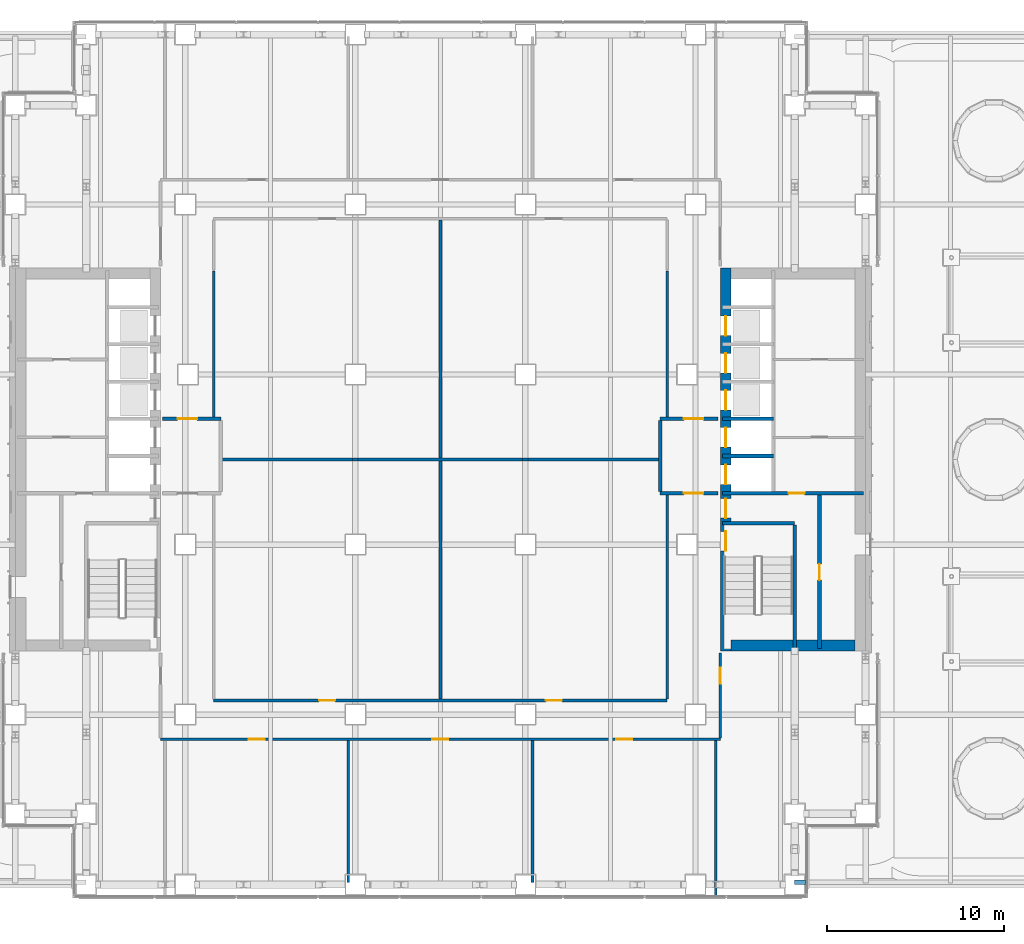
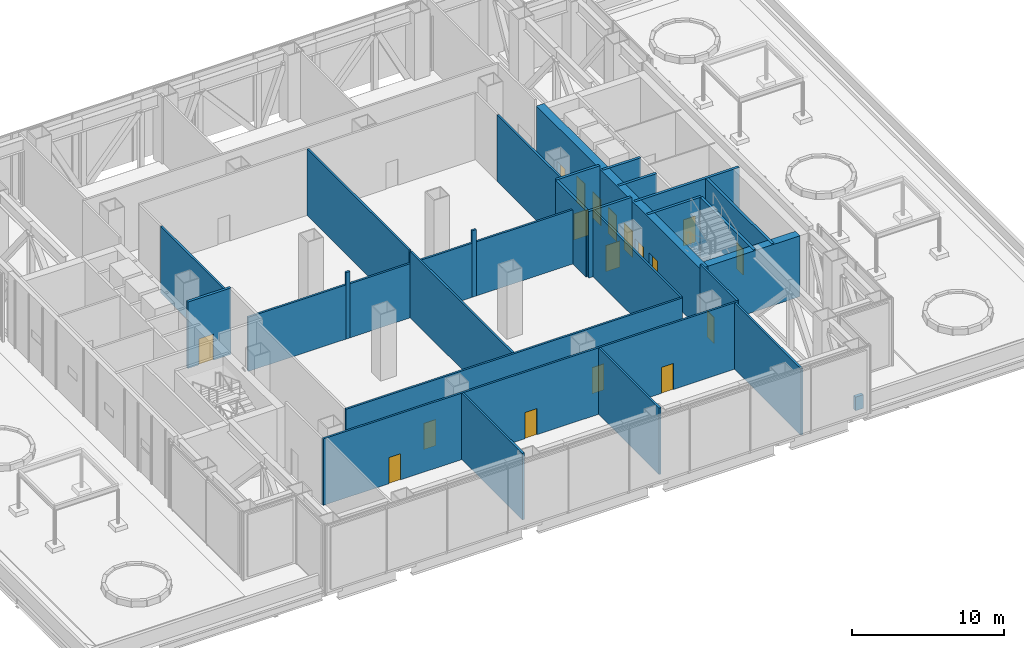
# One storey, part 25 of 39: 29 walls, 18 doors, 18 openings.
"""IFC4 building model written with IfcOpenShell, lengths in metres."""

from ifc_helpers import new_model, si_unit, direction, frame, frame_2d, origin, place, context, subcontext, project, spatial, rectangle, extrude, material, layer, layer_set, type_object, element, fill, save


model = new_model("IFC4")

# Units and contexts
model_context = context("Model", 3, precision=1e-05, world=origin(), true_north=direction((0.0, 1.0)))
body_context = subcontext(model_context, "Body", "Model", "MODEL_VIEW")
ifc_project = project(units=[si_unit("LENGTHUNIT", "METRE"), si_unit("AREAUNIT", "SQUARE_METRE"), si_unit("VOLUMEUNIT", "CUBIC_METRE"), si_unit("PLANEANGLEUNIT", "RADIAN"), si_unit("MASSUNIT", "GRAM", prefix="KILO")], contexts=[model_context])

# Site, building, storey
site_placement = place(None, origin())
site = spatial("IfcSite", under=ifc_project, at=site_placement, CompositionType="ELEMENT")
building_placement = place(site_placement, origin())
building = spatial("IfcBuilding", under=site, at=building_placement, Name="Cobrizo Arcos Hotel Tower", CompositionType="ELEMENT")
storey_placement = place(building_placement, frame((0.0, 0.0, 33.5)))
storey = spatial("IfcBuildingStorey", under=building, at=storey_placement, Name="L06", CompositionType="ELEMENT", Elevation=33.5)

# Wall, openings, doors
ifc_material_1 = material(Name="Gypsum board partition")
ifc_layer_1 = layer(ifc_material_1, 0.14990234375)
ifc_layer_set_1 = layer_set([ifc_layer_1], Name="Corridor wall EI 60 150")
wall_type_1 = type_object("IfcWallType", Name="Corridor wall EI 60 150", PredefinedType="PARTITIONING", material=ifc_layer_set_1)
wall_1_placement = place(storey_placement, frame((-15.800048828125, -15.800048828125, 0.0), z_axis=(0.0, 0.0, 1.0), x_axis=(1.0, 0.0, 0.0)))
wall_1 = element("IfcWall", 1, at=wall_1_placement, inside=storey, type_object=wall_type_1, Name="Partition 001", PredefinedType="PARTITIONING", context=body_context, shape_type="SweptSolid", body=[
    extrude(rectangle(XDim=31.60009765625, YDim=0.14990234375, at=frame_2d((15.800048828125, 0.0))), origin(), (0.0, 0.0, 1.0), 5.35009765625),
])
opening_1_placement = place(wall_1_placement, frame((4.97998046875, 0.0, 0.0)))
opening_1 = element("IfcOpeningElement", 2, at=opening_1_placement, cuts=wall_1, Name="Opening RD-12", PredefinedType="OPENING", context=body_context, shape_type="SweptSolid", body=[
    extrude(rectangle(XDim=0.89990234375, YDim=2.10009765625, at=frame_2d((0.449951171875, 1.050048828125))), frame((0.0, 0.0869140625, 0.0), z_axis=(0.0, -1.0, 0.0), x_axis=(1.0, 0.0, 0.0)), (0.0, 0.0, 1.0), 0.173828125),
])
opening_2_placement = place(wall_1_placement, frame((15.35009765625, 0.0, 0.0)))
opening_2 = element("IfcOpeningElement", 3, at=opening_2_placement, cuts=wall_1, Name="Opening RD-13", PredefinedType="OPENING", context=body_context, shape_type="SweptSolid", body=[
    extrude(rectangle(XDim=0.89990234375, YDim=2.10009765625, at=frame_2d((0.449951171875, 1.050048828125))), frame((0.0, 0.0869140625, 0.0), z_axis=(0.0, -1.0, 0.0), x_axis=(1.0, 0.0, 0.0)), (0.0, 0.0, 1.0), 0.173828125),
])
opening_3_placement = place(wall_1_placement, frame((25.720947265625, 0.0, 0.0)))
opening_3 = element("IfcOpeningElement", 4, at=opening_3_placement, cuts=wall_1, Name="Opening RD-14", PredefinedType="OPENING", context=body_context, shape_type="SweptSolid", body=[
    extrude(rectangle(XDim=0.89990234375, YDim=2.10009765625, at=frame_2d((0.449951171875, 1.050048828125))), frame((0.0, 0.0869140625, 0.0), z_axis=(0.0, -1.0, 0.0), x_axis=(1.0, 0.0, 0.0)), (0.0, 0.0, 1.0), 0.173828125),
])
ifc_material_2 = material(Name="Timber door leaf", Category="wood")
door_type_1 = type_object("IfcDoorType", Name="Room door FD30 900x2100", OperationType="SINGLE_SWING_LEFT", PredefinedType="DOOR", material=ifc_material_2)
door_1_placement = place(opening_1_placement, origin())
door_1 = element("IfcDoor", 5, at=door_1_placement, inside=storey, type_object=door_type_1, Name="Door RD-12", OperationType="SINGLE_SWING_RIGHT", OverallHeight=2.10009765625, OverallWidth=0.89990234375, PredefinedType="DOOR", context=body_context, shape_type="SweptSolid", body=[
    extrude(rectangle(XDim=0.89990234375, YDim=2.10009765625, at=frame_2d((0.449951171875, 1.050048828125))), frame((0.0, 0.02490234375, 0.0), z_axis=(0.0, -1.0, 0.0), x_axis=(1.0, 0.0, 0.0)), (0.0, 0.0, 1.0), 0.050048828125),
])
fill(opening_1, door_1)
door_2_placement = place(opening_2_placement, origin())
door_2 = element("IfcDoor", 6, at=door_2_placement, inside=storey, type_object=door_type_1, Name="Door RD-13", OperationType="SINGLE_SWING_LEFT", OverallHeight=2.10009765625, OverallWidth=0.89990234375, PredefinedType="DOOR", context=body_context, shape_type="SweptSolid", body=[
    extrude(rectangle(XDim=0.89990234375, YDim=2.10009765625, at=frame_2d((0.449951171875, 1.050048828125))), frame((0.0, 0.02490234375, 0.0), z_axis=(0.0, -1.0, 0.0), x_axis=(1.0, 0.0, 0.0)), (0.0, 0.0, 1.0), 0.050048828125),
])
fill(opening_2, door_2)
door_3_placement = place(opening_3_placement, origin())
door_3 = element("IfcDoor", 7, at=door_3_placement, inside=storey, type_object=door_type_1, Name="Door RD-14", OperationType="SINGLE_SWING_RIGHT", OverallHeight=2.10009765625, OverallWidth=0.89990234375, PredefinedType="DOOR", context=body_context, shape_type="SweptSolid", body=[
    extrude(rectangle(XDim=0.89990234375, YDim=2.10009765625, at=frame_2d((0.449951171875, 1.050048828125))), frame((0.0, 0.02490234375, 0.0), z_axis=(0.0, -1.0, 0.0), x_axis=(1.0, 0.0, 0.0)), (0.0, 0.0, 1.0), 0.050048828125),
])
fill(opening_3, door_3)

wall_2_placement = place(storey_placement, frame((-12.800048828125, -13.60009765625, 0.0), z_axis=(0.0, 0.0, 1.0), x_axis=(1.0, 0.0, 0.0)))
wall_2 = element("IfcWall", 8, at=wall_2_placement, inside=storey, type_object=wall_type_1, Name="Partition 002", PredefinedType="PARTITIONING", context=body_context, shape_type="SweptSolid", body=[
    extrude(rectangle(XDim=25.60009765625, YDim=0.14990234375, at=frame_2d((12.800048828125, 0.0))), origin(), (0.0, 0.0, 1.0), 5.35009765625),
])
opening_4_placement = place(wall_2_placement, frame((5.949951171875, 0.0, 0.0)))
opening_4 = element("IfcOpeningElement", 9, at=opening_4_placement, cuts=wall_2, Name="Opening RD-17", PredefinedType="OPENING", context=body_context, shape_type="SweptSolid", body=[
    extrude(rectangle(XDim=0.89990234375, YDim=2.10009765625, at=frame_2d((0.449951171875, 1.050048828125))), frame((0.0, 0.0869140625, 0.0), z_axis=(0.0, -1.0, 0.0), x_axis=(1.0, 0.0, 0.0)), (0.0, 0.0, 1.0), 0.173828125),
])
opening_5_placement = place(wall_2_placement, frame((18.75, 0.0, 0.0)))
opening_5 = element("IfcOpeningElement", 10, at=opening_5_placement, cuts=wall_2, Name="Opening RD-19", PredefinedType="OPENING", context=body_context, shape_type="SweptSolid", body=[
    extrude(rectangle(XDim=0.89990234375, YDim=2.10009765625, at=frame_2d((0.449951171875, 1.050048828125))), frame((0.0, 0.0869140625, 0.0), z_axis=(0.0, -1.0, 0.0), x_axis=(1.0, 0.0, 0.0)), (0.0, 0.0, 1.0), 0.173828125),
])
door_4_placement = place(opening_4_placement, origin())
door_4 = element("IfcDoor", 11, at=door_4_placement, inside=storey, type_object=door_type_1, Name="Door RD-17", OperationType="SINGLE_SWING_LEFT", OverallHeight=2.10009765625, OverallWidth=0.89990234375, PredefinedType="DOOR", context=body_context, shape_type="SweptSolid", body=[
    extrude(rectangle(XDim=0.89990234375, YDim=2.10009765625, at=frame_2d((0.449951171875, 1.050048828125))), frame((0.0, 0.02490234375, 0.0), z_axis=(0.0, -1.0, 0.0), x_axis=(1.0, 0.0, 0.0)), (0.0, 0.0, 1.0), 0.050048828125),
])
fill(opening_4, door_4)
door_5_placement = place(opening_5_placement, origin())
door_5 = element("IfcDoor", 12, at=door_5_placement, inside=storey, type_object=door_type_1, Name="Door RD-19", OperationType="SINGLE_SWING_RIGHT", OverallHeight=2.10009765625, OverallWidth=0.89990234375, PredefinedType="DOOR", context=body_context, shape_type="SweptSolid", body=[
    extrude(rectangle(XDim=0.89990234375, YDim=2.10009765625, at=frame_2d((0.449951171875, 1.050048828125))), frame((0.0, 0.02490234375, 0.0), z_axis=(0.0, -1.0, 0.0), x_axis=(1.0, 0.0, 0.0)), (0.0, 0.0, 1.0), 0.050048828125),
])
fill(opening_5, door_5)

# Walls
wall_3_placement = place(storey_placement, frame((-12.39990234375, 0.0, 0.0), z_axis=(0.0, 0.0, 1.0), x_axis=(1.0, 0.0, 0.0)))
element("IfcWall", 13, at=wall_3_placement, inside=storey, type_object=wall_type_1, Name="Partition 009", PredefinedType="PARTITIONING", context=body_context, shape_type="SweptSolid", body=[
    extrude(rectangle(XDim=7.44580078125, YDim=0.14990234375, at=frame_2d((3.722900390625, 0.0))), origin(), (0.0, 0.0, 1.0), 4.35888671875),
])
wall_4_placement = place(storey_placement, frame((-4.9541015625, 0.0, 0.0), z_axis=(0.0, 0.0, 1.0), x_axis=(1.0, 0.0, 0.0)))
element("IfcWall", 14, at=wall_4_placement, inside=storey, type_object=wall_type_1, Name="Partition 010", PredefinedType="PARTITIONING", context=body_context, shape_type="SweptSolid", body=[
    extrude(rectangle(XDim=0.30810546875, YDim=0.14990234375, at=frame_2d((0.154052734375, 0.0))), origin(), (0.0, 0.0, 1.0), 5.35009765625),
])
wall_5_placement = place(storey_placement, frame((-4.64599609375, 0.0, 0.0), z_axis=(0.0, 0.0, 1.0), x_axis=(1.0, 0.0, 0.0)))
element("IfcWall", 15, at=wall_5_placement, inside=storey, type_object=wall_type_1, Name="Partition 011", PredefinedType="PARTITIONING", context=body_context, shape_type="SweptSolid", body=[
    extrude(rectangle(XDim=9.2919921875, YDim=0.14990234375, at=frame_2d((4.64599609375, 0.0))), origin(), (0.0, 0.0, 1.0), 4.35888671875),
])
wall_6_placement = place(storey_placement, frame((4.64599609375, 0.0, 0.0), z_axis=(0.0, 0.0, 1.0), x_axis=(1.0, 0.0, 0.0)))
element("IfcWall", 16, at=wall_6_placement, inside=storey, type_object=wall_type_1, Name="Partition 012", PredefinedType="PARTITIONING", context=body_context, shape_type="SweptSolid", body=[
    extrude(rectangle(XDim=0.30810546875, YDim=0.14990234375, at=frame_2d((0.154052734375, 0.0))), origin(), (0.0, 0.0, 1.0), 5.35009765625),
])
wall_7_placement = place(storey_placement, frame((4.9541015625, 0.0, 0.0), z_axis=(0.0, 0.0, 1.0), x_axis=(1.0, 0.0, 0.0)))
element("IfcWall", 17, at=wall_7_placement, inside=storey, type_object=wall_type_1, Name="Partition 013", PredefinedType="PARTITIONING", context=body_context, shape_type="SweptSolid", body=[
    extrude(rectangle(XDim=7.44580078125, YDim=0.14990234375, at=frame_2d((3.722900390625, 0.0))), origin(), (0.0, 0.0, 1.0), 4.35888671875),
])
wall_8_placement = place(storey_placement, frame((-12.800048828125, 2.39990234375, 0.0), z_axis=(0.0, 0.0, 1.0), x_axis=(0.0, 1.0, 0.0)))
element("IfcWall", 18, at=wall_8_placement, inside=storey, type_object=wall_type_1, Name="Partition 040", PredefinedType="PARTITIONING", context=body_context, shape_type="SweptSolid", body=[
    extrude(rectangle(XDim=8.25, YDim=0.14990234375, at=frame_2d((4.125, 0.0))), origin(), (0.0, 0.0, 1.0), 5.35009765625),
])
wall_9_placement = place(storey_placement, frame((-5.199951171875, -23.8798828125, 0.0), z_axis=(0.0, 0.0, 1.0), x_axis=(0.0, 1.0, 0.0)))
element("IfcWall", 19, at=wall_9_placement, inside=storey, type_object=wall_type_1, Name="Partition 043", PredefinedType="PARTITIONING", context=body_context, shape_type="SweptSolid", body=[
    extrude(rectangle(XDim=8.0048828125, YDim=0.14990234375, at=frame_2d((4.00244140625, 0.0))), origin(), (0.0, 0.0, 1.0), 5.35009765625),
])
for number, where, z_axis, x_axis, name in (
    (20, (0.0, -13.52490234375, 0.0), (0.0, 0.0, 1.0), (0.0, 1.0, 0.0), "Partition 045"),
    (21, (0.0, 0.074951171875, 0.0), (0.0, 0.0, 1.0), (0.0, 1.0, 0.0), "Partition 046"),
):
    element("IfcWall", number, at=place(storey_placement, frame(where, z_axis=z_axis, x_axis=x_axis)), inside=storey, type_object=wall_type_1, Name=name, PredefinedType="PARTITIONING", context=body_context, shape_type="SweptSolid", body=[
        extrude(rectangle(XDim=13.449951171875, YDim=0.14990234375, at=frame_2d((6.72509765625, 0.0))), origin(), (0.0, 0.0, 1.0), 5.35009765625),
    ])
wall_10_placement = place(storey_placement, frame((5.199951171875, -23.8798828125, 0.0), z_axis=(0.0, 0.0, 1.0), x_axis=(0.0, 1.0, 0.0)))
element("IfcWall", 22, at=wall_10_placement, inside=storey, type_object=wall_type_1, Name="Partition 047", PredefinedType="PARTITIONING", context=body_context, shape_type="SweptSolid", body=[
    extrude(rectangle(XDim=8.0048828125, YDim=0.14990234375, at=frame_2d((4.00244140625, 0.0))), origin(), (0.0, 0.0, 1.0), 5.35009765625),
])
wall_11_placement = place(storey_placement, frame((12.800048828125, -13.52490234375, 0.0), z_axis=(0.0, 0.0, 1.0), x_axis=(0.0, 1.0, 0.0)))
element("IfcWall", 23, at=wall_11_placement, inside=storey, type_object=wall_type_1, Name="Partition 050", PredefinedType="PARTITIONING", context=body_context, shape_type="SweptSolid", body=[
    extrude(rectangle(XDim=11.52490234375, YDim=0.14990234375, at=frame_2d((5.762451171875, 0.0))), origin(), (0.0, 0.0, 1.0), 5.35009765625),
])
wall_12_placement = place(storey_placement, frame((12.800048828125, 2.39990234375, 0.0), z_axis=(0.0, 0.0, 1.0), x_axis=(0.0, 1.0, 0.0)))
element("IfcWall", 24, at=wall_12_placement, inside=storey, type_object=wall_type_1, Name="Partition 051", PredefinedType="PARTITIONING", context=body_context, shape_type="SweptSolid", body=[
    extrude(rectangle(XDim=8.25, YDim=0.14990234375, at=frame_2d((4.125, 0.0))), origin(), (0.0, 0.0, 1.0), 5.35009765625),
])
wall_13_placement = place(storey_placement, frame((15.550048828125, -24.6298828125, 0.0), z_axis=(0.0, 0.0, 1.0), x_axis=(0.0, 1.0, 0.0)))
element("IfcWall", 25, at=wall_13_placement, inside=storey, type_object=wall_type_1, Name="Partition 053", PredefinedType="PARTITIONING", context=body_context, shape_type="SweptSolid", body=[
    extrude(rectangle(XDim=8.7548828125, YDim=0.14990234375, at=frame_2d((4.37744140625, 0.0))), origin(), (0.0, 0.0, 1.0), 5.35009765625),
])

# Wall, opening, door
wall_14_placement = place(storey_placement, frame((15.800048828125, -15.72509765625, 0.0), z_axis=(0.0, 0.0, 1.0), x_axis=(0.0, 1.0, 0.0)))
wall_14 = element("IfcWall", 26, at=wall_14_placement, inside=storey, type_object=wall_type_1, Name="Partition 055", PredefinedType="PARTITIONING", context=body_context, shape_type="SweptSolid", body=[
    extrude(rectangle(XDim=4.80517578125, YDim=0.14990234375, at=frame_2d((2.402587890625, 0.0))), origin(), (0.0, 0.0, 1.0), 5.35009765625),
])
opening_6_placement = place(wall_14_placement, frame((3.074951171875, 0.0, 0.0)))
opening_6 = element("IfcOpeningElement", 27, at=opening_6_placement, cuts=wall_14, Name="Opening RD-16", PredefinedType="OPENING", context=body_context, shape_type="SweptSolid", body=[
    extrude(rectangle(XDim=0.89990234375, YDim=2.10009765625, at=frame_2d((0.449951171875, 1.050048828125))), frame((0.0, 0.0869140625, 0.0), z_axis=(0.0, -1.0, 0.0), x_axis=(1.0, 0.0, 0.0)), (0.0, 0.0, 1.0), 0.173828125),
])
door_6_placement = place(opening_6_placement, origin())
door_6 = element("IfcDoor", 28, at=door_6_placement, inside=storey, type_object=door_type_1, Name="Door RD-16", OperationType="SINGLE_SWING_LEFT", OverallHeight=2.10009765625, OverallWidth=0.89990234375, PredefinedType="DOOR", context=body_context, shape_type="SweptSolid", body=[
    extrude(rectangle(XDim=0.89990234375, YDim=2.10009765625, at=frame_2d((0.449951171875, 1.050048828125))), frame((0.0, 0.02490234375, 0.0), z_axis=(0.0, -1.0, 0.0), x_axis=(1.0, 0.0, 0.0)), (0.0, 0.0, 1.0), 0.050048828125),
])
fill(opening_6, door_6)

# Wall
ifc_material_3 = material(Name="Aluminium composite panel pale metal", Category="aluminium")
ifc_layer_2 = layer(ifc_material_3, 0.25)
ifc_layer_set_2 = layer_set([ifc_layer_2], Name="PW-1 parapet wall")
wall_type_2 = type_object("IfcWallType", Name="PW-1 parapet wall", PredefinedType="PARAPET", material=ifc_layer_set_2)
wall_15_placement = place(storey_placement, frame((20.0, -23.875, 0.0), z_axis=(0.0, 0.0, 1.0), x_axis=(1.0, 0.0, 0.0)))
element("IfcWall", 29, at=wall_15_placement, inside=storey, type_object=wall_type_2, Name="Parapet L05 S", PredefinedType="PARAPET", context=body_context, shape_type="SweptSolid", body=[
    extrude(rectangle(XDim=0.60009765625, YDim=0.25, at=frame_2d((0.300048828125, 0.0))), origin(), (0.0, 0.0, 1.0), 1.10009765625),
])

# Wall, openings, doors
ifc_material_4 = material(Name="Concrete f'c 60 MPa", Category="concrete")
ifc_layer_3 = layer(ifc_material_4, 0.60009765625)
ifc_layer_set_3 = layer_set([ifc_layer_3], Name="RC core wall 600 f'c 60")
wall_type_3 = type_object("IfcWallType", Name="RC core wall 600 f'c 60", PredefinedType="SHEAR", material=ifc_layer_set_3)
wall_16_placement = place(storey_placement, frame((16.10009765625, -10.800048828125, 0.0), z_axis=(0.0, 0.0, 1.0), x_axis=(0.0, 1.0, 0.0)))
wall_16 = element("IfcWall", 30, at=wall_16_placement, inside=storey, type_object=wall_type_3, Name="Core wall CW1, east core, inner face, L06", PredefinedType="SHEAR", context=body_context, shape_type="SweptSolid", body=[
    extrude(rectangle(XDim=21.60009765625, YDim=0.60009765625, at=frame_2d((10.800048828125, 0.0))), origin(), (0.0, 0.0, 1.0), 4.89990234375),
])
opening_7_placement = place(wall_16_placement, frame((9.39990234375, 0.0, 0.0)))
opening_7 = element("IfcOpeningElement", 31, at=opening_7_placement, cuts=wall_16, Name="Opening LD-06", PredefinedType="OPENING", context=body_context, shape_type="SweptSolid", body=[
    extrude(rectangle(XDim=1.10009765625, YDim=2.10009765625, at=frame_2d((0.550048828125, 1.050048828125))), frame((0.0, 0.31201171875, 0.0), z_axis=(0.0, -1.0, 0.0), x_axis=(1.0, 0.0, 0.0)), (0.0, 0.0, 1.0), 0.6240234375),
])
opening_8_placement = place(wall_16_placement, frame((11.5, 0.0, 0.0)))
opening_8 = element("IfcOpeningElement", 32, at=opening_8_placement, cuts=wall_16, Name="Opening LD-07", PredefinedType="OPENING", context=body_context, shape_type="SweptSolid", body=[
    extrude(rectangle(XDim=1.10009765625, YDim=2.10009765625, at=frame_2d((0.550048828125, 1.050048828125))), frame((0.0, 0.31201171875, 0.0), z_axis=(0.0, -1.0, 0.0), x_axis=(1.0, 0.0, 0.0)), (0.0, 0.0, 1.0), 0.6240234375),
])
opening_9_placement = place(wall_16_placement, frame((13.60009765625, 0.0, 0.0)))
opening_9 = element("IfcOpeningElement", 33, at=opening_9_placement, cuts=wall_16, Name="Opening LD-08", PredefinedType="OPENING", context=body_context, shape_type="SweptSolid", body=[
    extrude(rectangle(XDim=1.10009765625, YDim=2.10009765625, at=frame_2d((0.550048828125, 1.050048828125))), frame((0.0, 0.31201171875, 0.0), z_axis=(0.0, -1.0, 0.0), x_axis=(1.0, 0.0, 0.0)), (0.0, 0.0, 1.0), 0.6240234375),
])
opening_10_placement = place(wall_16_placement, frame((15.699951171875, 0.0, 0.0)))
opening_10 = element("IfcOpeningElement", 34, at=opening_10_placement, cuts=wall_16, Name="Opening LD-09", PredefinedType="OPENING", context=body_context, shape_type="SweptSolid", body=[
    extrude(rectangle(XDim=1.10009765625, YDim=2.10009765625, at=frame_2d((0.550048828125, 1.050048828125))), frame((0.0, 0.31201171875, 0.0), z_axis=(0.0, -1.0, 0.0), x_axis=(1.0, 0.0, 0.0)), (0.0, 0.0, 1.0), 0.6240234375),
])
opening_11_placement = place(wall_16_placement, frame((17.800048828125, 0.0, 0.0)))
opening_11 = element("IfcOpeningElement", 35, at=opening_11_placement, cuts=wall_16, Name="Opening LD-10", PredefinedType="OPENING", context=body_context, shape_type="SweptSolid", body=[
    extrude(rectangle(XDim=1.10009765625, YDim=2.10009765625, at=frame_2d((0.550048828125, 1.050048828125))), frame((0.0, 0.31201171875, 0.0), z_axis=(0.0, -1.0, 0.0), x_axis=(1.0, 0.0, 0.0)), (0.0, 0.0, 1.0), 0.6240234375),
])
opening_12_placement = place(wall_16_placement, frame((5.64208984375, 0.0, 0.0)))
opening_12 = element("IfcOpeningElement", 36, at=opening_12_placement, cuts=wall_16, Name="Opening SD-02", PredefinedType="OPENING", context=body_context, shape_type="SweptSolid", body=[
    extrude(rectangle(XDim=1.10009765625, YDim=2.10009765625, at=frame_2d((0.550048828125, 1.050048828125))), frame((0.0, 0.31201171875, 0.0), z_axis=(0.0, -1.0, 0.0), x_axis=(1.0, 0.0, 0.0)), (0.0, 0.0, 1.0), 0.6240234375),
])
opening_13_placement = place(wall_16_placement, frame((7.5, 0.0, 0.0)))
opening_13 = element("IfcOpeningElement", 37, at=opening_13_placement, cuts=wall_16, Name="Opening FD-04", PredefinedType="OPENING", context=body_context, shape_type="SweptSolid", body=[
    extrude(rectangle(XDim=1.10009765625, YDim=2.10009765625, at=frame_2d((0.550048828125, 1.050048828125))), frame((0.0, 0.31201171875, 0.0), z_axis=(0.0, -1.0, 0.0), x_axis=(1.0, 0.0, 0.0)), (0.0, 0.0, 1.0), 0.6240234375),
])
ifc_material_5 = material(Name="Steel door leaf", Category="steel")
door_type_2 = type_object("IfcDoorType", Name="Fire door FD60 1100x2100", OperationType="SINGLE_SWING_LEFT", PredefinedType="DOOR", material=ifc_material_5)
door_7_placement = place(opening_13_placement, origin())
door_7 = element("IfcDoor", 38, at=door_7_placement, inside=storey, type_object=door_type_2, Name="Door FD-04", OperationType="SINGLE_SWING_LEFT", OverallHeight=2.10009765625, OverallWidth=1.10009765625, PredefinedType="DOOR", context=body_context, shape_type="SweptSolid", body=[
    extrude(rectangle(XDim=1.10009765625, YDim=2.10009765625, at=frame_2d((0.550048828125, 1.050048828125))), frame((0.0, 0.02490234375, 0.0), z_axis=(0.0, -1.0, 0.0), x_axis=(1.0, 0.0, 0.0)), (0.0, 0.0, 1.0), 0.050048828125),
])
fill(opening_13, door_7)
door_type_3 = type_object("IfcDoorType", Name="Lift landing door 1100x2100", OperationType="SLIDING_TO_LEFT", PredefinedType="DOOR", material=ifc_material_5)
door_8_placement = place(opening_7_placement, origin())
door_8 = element("IfcDoor", 39, at=door_8_placement, inside=storey, type_object=door_type_3, Name="Lift landing door LD-06", OperationType="SLIDING_TO_LEFT", OverallHeight=2.10009765625, OverallWidth=1.10009765625, PredefinedType="DOOR", context=body_context, shape_type="SweptSolid", body=[
    extrude(rectangle(XDim=1.10009765625, YDim=2.10009765625, at=frame_2d((0.550048828125, 1.050048828125))), frame((0.0, 0.02490234375, 0.0), z_axis=(0.0, -1.0, 0.0), x_axis=(1.0, 0.0, 0.0)), (0.0, 0.0, 1.0), 0.050048828125),
])
fill(opening_7, door_8)
door_9_placement = place(opening_8_placement, origin())
door_9 = element("IfcDoor", 40, at=door_9_placement, inside=storey, type_object=door_type_3, Name="Lift landing door LD-07", OperationType="SLIDING_TO_LEFT", OverallHeight=2.10009765625, OverallWidth=1.10009765625, PredefinedType="DOOR", context=body_context, shape_type="SweptSolid", body=[
    extrude(rectangle(XDim=1.10009765625, YDim=2.10009765625, at=frame_2d((0.550048828125, 1.050048828125))), frame((0.0, 0.02490234375, 0.0), z_axis=(0.0, -1.0, 0.0), x_axis=(1.0, 0.0, 0.0)), (0.0, 0.0, 1.0), 0.050048828125),
])
fill(opening_8, door_9)
door_10_placement = place(opening_9_placement, origin())
door_10 = element("IfcDoor", 41, at=door_10_placement, inside=storey, type_object=door_type_3, Name="Lift landing door LD-08", OperationType="SLIDING_TO_LEFT", OverallHeight=2.10009765625, OverallWidth=1.10009765625, PredefinedType="DOOR", context=body_context, shape_type="SweptSolid", body=[
    extrude(rectangle(XDim=1.10009765625, YDim=2.10009765625, at=frame_2d((0.550048828125, 1.050048828125))), frame((0.0, 0.02490234375, 0.0), z_axis=(0.0, -1.0, 0.0), x_axis=(1.0, 0.0, 0.0)), (0.0, 0.0, 1.0), 0.050048828125),
])
fill(opening_9, door_10)
door_11_placement = place(opening_10_placement, origin())
door_11 = element("IfcDoor", 42, at=door_11_placement, inside=storey, type_object=door_type_3, Name="Lift landing door LD-09", OperationType="SLIDING_TO_LEFT", OverallHeight=2.10009765625, OverallWidth=1.10009765625, PredefinedType="DOOR", context=body_context, shape_type="SweptSolid", body=[
    extrude(rectangle(XDim=1.10009765625, YDim=2.10009765625, at=frame_2d((0.550048828125, 1.050048828125))), frame((0.0, 0.02490234375, 0.0), z_axis=(0.0, -1.0, 0.0), x_axis=(1.0, 0.0, 0.0)), (0.0, 0.0, 1.0), 0.050048828125),
])
fill(opening_10, door_11)
door_12_placement = place(opening_11_placement, origin())
door_12 = element("IfcDoor", 43, at=door_12_placement, inside=storey, type_object=door_type_3, Name="Lift landing door LD-10", OperationType="SLIDING_TO_LEFT", OverallHeight=2.10009765625, OverallWidth=1.10009765625, PredefinedType="DOOR", context=body_context, shape_type="SweptSolid", body=[
    extrude(rectangle(XDim=1.10009765625, YDim=2.10009765625, at=frame_2d((0.550048828125, 1.050048828125))), frame((0.0, 0.02490234375, 0.0), z_axis=(0.0, -1.0, 0.0), x_axis=(1.0, 0.0, 0.0)), (0.0, 0.0, 1.0), 0.050048828125),
])
fill(opening_11, door_12)
door_type_4 = type_object("IfcDoorType", Name="Stair door FD60S 1100x2100", OperationType="SINGLE_SWING_LEFT", PredefinedType="DOOR", material=ifc_material_5)
door_13_placement = place(opening_12_placement, origin())
door_13 = element("IfcDoor", 44, at=door_13_placement, inside=storey, type_object=door_type_4, Name="Door SD-02", OperationType="SINGLE_SWING_LEFT", OverallHeight=2.10009765625, OverallWidth=1.10009765625, PredefinedType="DOOR", context=body_context, shape_type="SweptSolid", body=[
    extrude(rectangle(XDim=1.10009765625, YDim=2.10009765625, at=frame_2d((0.550048828125, 1.050048828125))), frame((0.0, 0.02490234375, 0.0), z_axis=(0.0, -1.0, 0.0), x_axis=(1.0, 0.0, 0.0)), (0.0, 0.0, 1.0), 0.050048828125),
])
fill(opening_12, door_13)

# Wall
wall_17_placement = place(storey_placement, frame((16.39990234375, -10.5, 0.0), z_axis=(0.0, 0.0, 1.0), x_axis=(1.0, 0.0, 0.0)))
element("IfcWall", 45, at=wall_17_placement, inside=storey, type_object=wall_type_3, Name="Core wall CW1, east core, south end, L06", PredefinedType="SHEAR", context=body_context, shape_type="SweptSolid", body=[
    extrude(rectangle(XDim=7.0, YDim=0.60009765625, at=frame_2d((3.5, 0.0))), origin(), (0.0, 0.0, 1.0), 4.89990234375),
])

# Wall, opening, door
ifc_layer_4 = layer(ifc_material_1, 0.199951171875)
ifc_layer_set_4 = layer_set([ifc_layer_4], Name="Shaft wall EI 120 200")
wall_type_4 = type_object("IfcWallType", Name="Shaft wall EI 120 200", PredefinedType="PARTITIONING", material=ifc_layer_set_4)
wall_18_placement = place(storey_placement, frame((12.39990234375, -1.89990234375, 0.0), z_axis=(0.0, 0.0, 1.0), x_axis=(1.0, 0.0, 0.0)))
wall_18 = element("IfcWall", 46, at=wall_18_placement, inside=storey, type_object=wall_type_4, Name="Partition 007", PredefinedType="PARTITIONING", context=body_context, shape_type="SweptSolid", body=[
    extrude(rectangle(XDim=3.280029296875, YDim=0.199951171875, at=frame_2d((1.64013671875, 0.0))), origin(), (0.0, 0.0, 1.0), 5.35009765625),
])
opening_14_placement = place(wall_18_placement, frame((1.340087890625, 0.0, 0.0)))
opening_14 = element("IfcOpeningElement", 47, at=opening_14_placement, cuts=wall_18, Name="Opening FD-06", PredefinedType="OPENING", context=body_context, shape_type="SweptSolid", body=[
    extrude(rectangle(XDim=1.10009765625, YDim=2.10009765625, at=frame_2d((0.550048828125, 1.050048828125))), frame((0.0, 0.112060546875, 0.0), z_axis=(0.0, -1.0, 0.0), x_axis=(1.0, 0.0, 0.0)), (0.0, 0.0, 1.0), 0.223876953125),
])
door_14_placement = place(opening_14_placement, origin())
door_14 = element("IfcDoor", 48, at=door_14_placement, inside=storey, type_object=door_type_2, Name="Door FD-06", OperationType="SINGLE_SWING_LEFT", OverallHeight=2.10009765625, OverallWidth=1.10009765625, PredefinedType="DOOR", context=body_context, shape_type="SweptSolid", body=[
    extrude(rectangle(XDim=1.10009765625, YDim=2.10009765625, at=frame_2d((0.550048828125, 1.050048828125))), frame((0.0, 0.02490234375, 0.0), z_axis=(0.0, -1.0, 0.0), x_axis=(1.0, 0.0, 0.0)), (0.0, 0.0, 1.0), 0.050048828125),
])
fill(opening_14, door_14)

wall_19_placement = place(storey_placement, frame((15.919921875, -1.89990234375, 0.0), z_axis=(0.0, 0.0, 1.0), x_axis=(1.0, 0.0, 0.0)))
wall_19 = element("IfcWall", 49, at=wall_19_placement, inside=storey, type_object=wall_type_4, Name="Partition 008", PredefinedType="PARTITIONING", context=body_context, shape_type="SweptSolid", body=[
    extrude(rectangle(XDim=7.9599609375, YDim=0.199951171875, at=frame_2d((3.97998046875, 0.0))), origin(), (0.0, 0.0, 1.0), 4.89990234375),
])
opening_15_placement = place(wall_19_placement, frame((3.739990234375, 0.0, 0.0)))
opening_15 = element("IfcOpeningElement", 50, at=opening_15_placement, cuts=wall_19, Name="Opening RD-06", PredefinedType="OPENING", context=body_context, shape_type="SweptSolid", body=[
    extrude(rectangle(XDim=0.89990234375, YDim=2.10009765625, at=frame_2d((0.449951171875, 1.050048828125))), frame((0.0, 0.112060546875, 0.0), z_axis=(0.0, -1.0, 0.0), x_axis=(1.0, 0.0, 0.0)), (0.0, 0.0, 1.0), 0.223876953125),
])
door_15_placement = place(opening_15_placement, origin())
door_15 = element("IfcDoor", 51, at=door_15_placement, inside=storey, type_object=door_type_1, Name="Door RD-06", OperationType="SINGLE_SWING_RIGHT", OverallHeight=2.10009765625, OverallWidth=0.89990234375, PredefinedType="DOOR", context=body_context, shape_type="SweptSolid", body=[
    extrude(rectangle(XDim=0.89990234375, YDim=2.10009765625, at=frame_2d((0.449951171875, 1.050048828125))), frame((0.0, 0.02490234375, 0.0), z_axis=(0.0, -1.0, 0.0), x_axis=(1.0, 0.0, 0.0)), (0.0, 0.0, 1.0), 0.050048828125),
])
fill(opening_15, door_15)

# Wall
wall_20_placement = place(storey_placement, frame((15.919921875, 0.199951171875, 0.0), z_axis=(0.0, 0.0, 1.0), x_axis=(1.0, 0.0, 0.0)))
element("IfcWall", 52, at=wall_20_placement, inside=storey, type_object=wall_type_4, Name="Partition 015", PredefinedType="PARTITIONING", context=body_context, shape_type="SweptSolid", body=[
    extrude(rectangle(XDim=2.880126953125, YDim=0.199951171875, at=frame_2d((1.43994140625, 0.0))), origin(), (0.0, 0.0, 1.0), 4.89990234375),
])

# Wall, opening, door
wall_21_placement = place(storey_placement, frame((-15.679931640625, 2.300048828125, 0.0), z_axis=(0.0, 0.0, 1.0), x_axis=(1.0, 0.0, 0.0)))
wall_21 = element("IfcWall", 53, at=wall_21_placement, inside=storey, type_object=wall_type_4, Name="Partition 019", PredefinedType="PARTITIONING", context=body_context, shape_type="SweptSolid", body=[
    extrude(rectangle(XDim=3.280029296875, YDim=0.199951171875, at=frame_2d((1.64013671875, 0.0))), origin(), (0.0, 0.0, 1.0), 5.35009765625),
])
opening_16_placement = place(wall_21_placement, frame((0.840087890625, 0.0, 0.0)))
opening_16 = element("IfcOpeningElement", 54, at=opening_16_placement, cuts=wall_21, Name="Opening FD-02", PredefinedType="OPENING", context=body_context, shape_type="SweptSolid", body=[
    extrude(rectangle(XDim=1.10009765625, YDim=2.10009765625, at=frame_2d((0.550048828125, 1.050048828125))), frame((0.0, 0.112060546875, 0.0), z_axis=(0.0, -1.0, 0.0), x_axis=(1.0, 0.0, 0.0)), (0.0, 0.0, 1.0), 0.223876953125),
])
door_16_placement = place(opening_16_placement, origin())
door_16 = element("IfcDoor", 55, at=door_16_placement, inside=storey, type_object=door_type_2, Name="Door FD-02", OperationType="SINGLE_SWING_RIGHT", OverallHeight=2.10009765625, OverallWidth=1.10009765625, PredefinedType="DOOR", context=body_context, shape_type="SweptSolid", body=[
    extrude(rectangle(XDim=1.10009765625, YDim=2.10009765625, at=frame_2d((0.550048828125, 1.050048828125))), frame((0.0, 0.02490234375, 0.0), z_axis=(0.0, -1.0, 0.0), x_axis=(1.0, 0.0, 0.0)), (0.0, 0.0, 1.0), 0.050048828125),
])
fill(opening_16, door_16)

wall_22_placement = place(storey_placement, frame((12.39990234375, 2.300048828125, 0.0), z_axis=(0.0, 0.0, 1.0), x_axis=(1.0, 0.0, 0.0)))
wall_22 = element("IfcWall", 56, at=wall_22_placement, inside=storey, type_object=wall_type_4, Name="Partition 020", PredefinedType="PARTITIONING", context=body_context, shape_type="SweptSolid", body=[
    extrude(rectangle(XDim=3.280029296875, YDim=0.199951171875, at=frame_2d((1.64013671875, 0.0))), origin(), (0.0, 0.0, 1.0), 5.35009765625),
])
opening_17_placement = place(wall_22_placement, frame((1.340087890625, 0.0, 0.0)))
opening_17 = element("IfcOpeningElement", 57, at=opening_17_placement, cuts=wall_22, Name="Opening FD-05", PredefinedType="OPENING", context=body_context, shape_type="SweptSolid", body=[
    extrude(rectangle(XDim=1.10009765625, YDim=2.10009765625, at=frame_2d((0.550048828125, 1.050048828125))), frame((0.0, 0.112060546875, 0.0), z_axis=(0.0, -1.0, 0.0), x_axis=(1.0, 0.0, 0.0)), (0.0, 0.0, 1.0), 0.223876953125),
])
door_17_placement = place(opening_17_placement, origin())
door_17 = element("IfcDoor", 58, at=door_17_placement, inside=storey, type_object=door_type_2, Name="Door FD-05", OperationType="SINGLE_SWING_RIGHT", OverallHeight=2.10009765625, OverallWidth=1.10009765625, PredefinedType="DOOR", context=body_context, shape_type="SweptSolid", body=[
    extrude(rectangle(XDim=1.10009765625, YDim=2.10009765625, at=frame_2d((0.550048828125, 1.050048828125))), frame((0.0, 0.02490234375, 0.0), z_axis=(0.0, -1.0, 0.0), x_axis=(1.0, 0.0, 0.0)), (0.0, 0.0, 1.0), 0.050048828125),
])
fill(opening_17, door_17)

# Walls
wall_23_placement = place(storey_placement, frame((15.919921875, 2.300048828125, 0.0), z_axis=(0.0, 0.0, 1.0), x_axis=(1.0, 0.0, 0.0)))
element("IfcWall", 59, at=wall_23_placement, inside=storey, type_object=wall_type_4, Name="Partition 021", PredefinedType="PARTITIONING", context=body_context, shape_type="SweptSolid", body=[
    extrude(rectangle(XDim=2.880126953125, YDim=0.199951171875, at=frame_2d((1.43994140625, 0.0))), origin(), (0.0, 0.0, 1.0), 4.89990234375),
])
wall_24_placement = place(storey_placement, frame((12.39990234375, -1.800048828125, 0.0), z_axis=(0.0, 0.0, 1.0), x_axis=(0.0, 1.0, 0.0)))
element("IfcWall", 60, at=wall_24_placement, inside=storey, type_object=wall_type_4, Name="Partition 049", PredefinedType="PARTITIONING", context=body_context, shape_type="SweptSolid", body=[
    extrude(rectangle(XDim=4.0, YDim=0.199951171875, at=frame_2d((2.0, 0.0))), origin(), (0.0, 0.0, 1.0), 5.35009765625),
])

# Wall, opening, door
wall_25_placement = place(storey_placement, frame((21.39990234375, -10.679931640625, 0.0), z_axis=(0.0, 0.0, 1.0), x_axis=(0.0, 1.0, 0.0)))
wall_25 = element("IfcWall", 61, at=wall_25_placement, inside=storey, type_object=wall_type_4, Name="Partition 059", PredefinedType="PARTITIONING", context=body_context, shape_type="SweptSolid", body=[
    extrude(rectangle(XDim=8.679931640625, YDim=0.199951171875, at=frame_2d((4.33984375, 0.0))), origin(), (0.0, 0.0, 1.0), 4.89990234375),
])
opening_18_placement = place(wall_25_placement, frame((3.8798828125, 0.0, 0.0)))
opening_18 = element("IfcOpeningElement", 62, at=opening_18_placement, cuts=wall_25, Name="Opening RD-05", PredefinedType="OPENING", context=body_context, shape_type="SweptSolid", body=[
    extrude(rectangle(XDim=0.89990234375, YDim=2.10009765625, at=frame_2d((0.449951171875, 1.050048828125))), frame((0.0, 0.112060546875, 0.0), z_axis=(0.0, -1.0, 0.0), x_axis=(1.0, 0.0, 0.0)), (0.0, 0.0, 1.0), 0.223876953125),
])
door_18_placement = place(opening_18_placement, origin())
door_18 = element("IfcDoor", 63, at=door_18_placement, inside=storey, type_object=door_type_1, Name="Door RD-05", OperationType="SINGLE_SWING_RIGHT", OverallHeight=2.10009765625, OverallWidth=0.89990234375, PredefinedType="DOOR", context=body_context, shape_type="SweptSolid", body=[
    extrude(rectangle(XDim=0.89990234375, YDim=2.10009765625, at=frame_2d((0.449951171875, 1.050048828125))), frame((0.0, 0.02490234375, 0.0), z_axis=(0.0, -1.0, 0.0), x_axis=(1.0, 0.0, 0.0)), (0.0, 0.0, 1.0), 0.050048828125),
])
fill(opening_18, door_18)

# Walls
ifc_material_6 = material(Name="Concrete f'c 40 MPa", Category="concrete")
ifc_layer_5 = layer(ifc_material_6, 0.199951171875)
ifc_layer_set_5 = layer_set([ifc_layer_5], Name="Stair shaft wall 200")
wall_type_5 = type_object("IfcWallType", Name="Stair shaft wall 200", PredefinedType="SHEAR", material=ifc_layer_set_5)
wall_26_placement = place(storey_placement, frame((15.919921875, -3.60009765625, 0.0), z_axis=(0.0, 0.0, 1.0), x_axis=(1.0, 0.0, 0.0)))
element("IfcWall", 64, at=wall_26_placement, inside=storey, type_object=wall_type_5, Name="Stair shaft wall E", PredefinedType="SHEAR", context=body_context, shape_type="SweptSolid", body=[
    extrude(rectangle(XDim=4.080078125, YDim=0.199951171875, at=frame_2d((2.0400390625, 0.0))), origin(), (0.0, 0.0, 1.0), 4.89990234375),
])
wall_27_placement = place(storey_placement, frame((20.0, -10.679931640625, 0.0), z_axis=(0.0, 0.0, 1.0), x_axis=(0.0, 1.0, 0.0)))
element("IfcWall", 65, at=wall_27_placement, inside=storey, type_object=wall_type_5, Name="Stair shaft wall E", PredefinedType="SHEAR", context=body_context, shape_type="SweptSolid", body=[
    extrude(rectangle(XDim=6.97998046875, YDim=0.199951171875, at=frame_2d((3.489990234375, 0.0))), origin(), (0.0, 0.0, 1.0), 4.89990234375),
])

save(model, "model.ifc")
